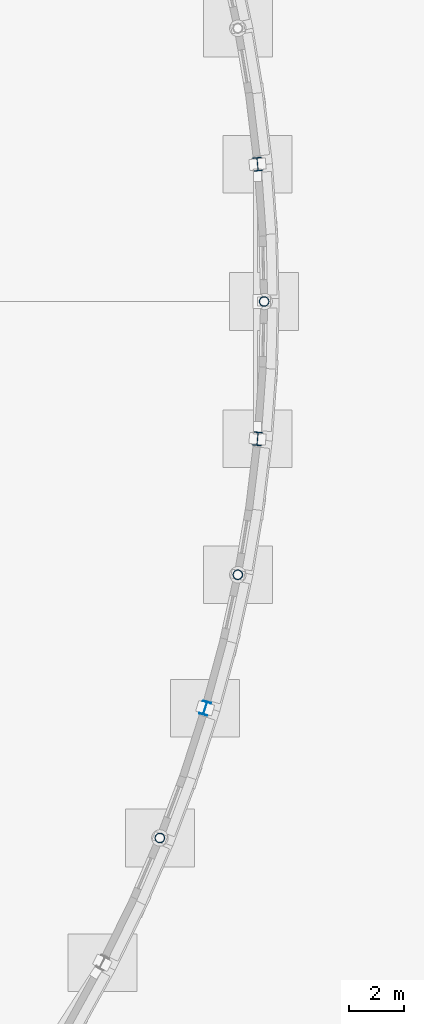
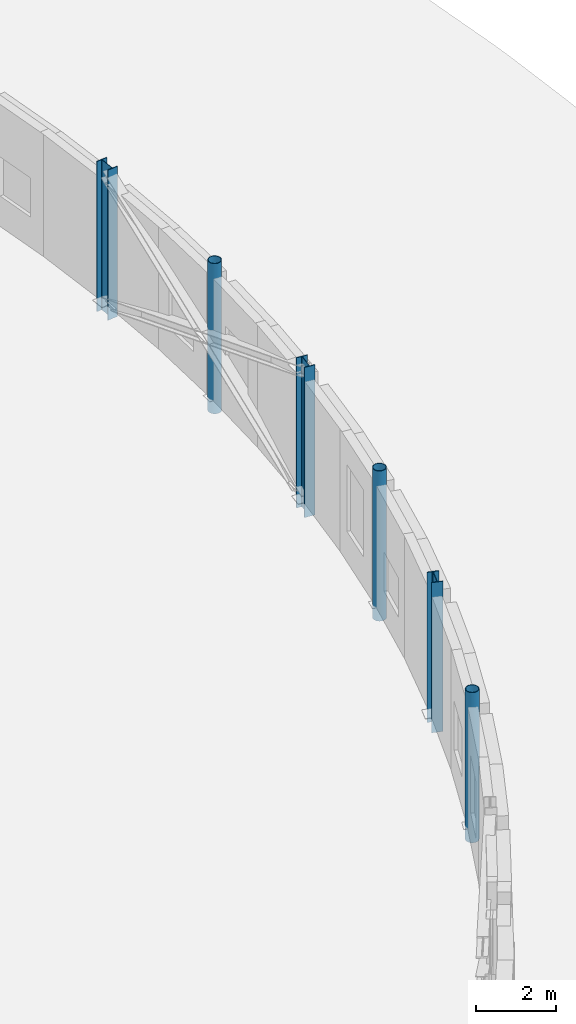
# One storey, part 13 of 88: 6 columns.
"""IFC4 building model written with IfcOpenShell, lengths in metres."""

from ifc_helpers import new_model, si_unit, direction, frame, origin, origin_2d, place, context, subcontext, project, spatial, hollow_circle, i_section, extrude, material, material_profile, profile_set, type_object, element, save


model = new_model("IFC4")

# Units and contexts
model_context = context("Model", 3, precision=1e-05, world=origin(), true_north=direction((0.0, 1.0)))
body_context = subcontext(model_context, "Body", "Model", "MODEL_VIEW")
ifc_project = project(units=[si_unit("LENGTHUNIT", "METRE"), si_unit("AREAUNIT", "SQUARE_METRE"), si_unit("VOLUMEUNIT", "CUBIC_METRE"), si_unit("PLANEANGLEUNIT", "RADIAN"), si_unit("MASSUNIT", "GRAM", prefix="KILO")], contexts=[model_context])

# Site, building, storey
site_placement = place(None, origin())
site = spatial("IfcSite", under=ifc_project, at=site_placement, CompositionType="ELEMENT")
building_placement = place(site_placement, origin())
building = spatial("IfcBuilding", under=site, at=building_placement, Name="Vanh Quang Courtyard School", CompositionType="ELEMENT")
storey_placement = place(building_placement, origin())
storey = spatial("IfcBuildingStorey", under=building, at=storey_placement, Name="L00", CompositionType="ELEMENT", Elevation=0.0)

# Columns
ifc_material = material(Name="Structural steel EN 10025-2 S355J2", Category="steel")
ifc_material_profile_1 = material_profile(ifc_material, hollow_circle(Radius=0.177734375, WallThickness=0.01611328125, at=origin_2d()), Name="CHS 355.6x16")
ifc_profile_set_1 = profile_set([ifc_material_profile_1], Name="Structural steel EN 10025-2 S355J2")
column_type_1 = type_object("IfcColumnType", Name="COL-STL-CHS355", PredefinedType="COLUMN", material=ifc_profile_set_1)
for number, where, z_axis, x_axis, name in (
    (1, (160.213623046875, 36.5205078125, -0.39990234375), (0.0, 0.0, 1.0), (1.0, 0.0, 0.0), "Column CS-05 (L00)"),
    (2, (163.044677734375, 46.077880859375, -0.39990234375), (0.0, 0.0, 1.0), (1.0, 0.0, 0.0), "Column CS-05 (L00)"),
    (3, (164.0, 56.0, -0.39990234375), (0.0, 0.0, 1.0), (1.0, 0.0, 0.0), "Column CS-05 (L00)"),
):
    element("IfcColumn", number, at=place(storey_placement, frame(where, z_axis=z_axis, x_axis=x_axis)), inside=storey, type_object=column_type_1, Name=name, PredefinedType="COLUMN", context=body_context, shape_type="SweptSolid", body=[
        extrude(hollow_circle(Radius=0.177734375, WallThickness=0.01611328125, at=origin_2d()), origin(), (0.0, 0.0, 1.0), 4.599853515625),
    ])
ifc_material_profile_2 = material_profile(ifc_material, i_section(OverallWidth=0.300048828125, OverallDepth=0.489990234375, WebThickness=0.011962890625, FlangeThickness=0.02294921875, FilletRadius=0.027099609375, at=origin_2d()), Name="HEA 500")
ifc_profile_set_2 = profile_set([ifc_material_profile_2], Name="Structural steel EN 10025-2 S355J2")
column_type_2 = type_object("IfcColumnType", Name="COL-STL-HEA500", PredefinedType="COLUMN", material=ifc_profile_set_2)
for number, where, z_axis, x_axis, name in (
    (4, (161.858642578125, 41.231201171875, -0.39990234375), (0.0, 0.0, 1.0), (0.958819734868, -0.284015344704, 0.0), "Column CS-01 (L00)"),
    (5, (163.760498046875, 51.01611328125, -0.39990234375), (0.0, 0.0, 1.0), (0.995396198367, -0.09584575252, 0.0), "Column CS-01 (L00)"),
    (6, (163.760498046875, 60.98388671875, -0.39990234375), (0.0, 0.0, 1.0), (0.995396198367, 0.09584575252, 0.0), "Column CS-01 (L00)"),
):
    element("IfcColumn", number, at=place(storey_placement, frame(where, z_axis=z_axis, x_axis=x_axis)), inside=storey, type_object=column_type_2, Name=name, PredefinedType="COLUMN", context=body_context, shape_type="SweptSolid", body=[
        extrude(i_section(OverallWidth=0.300048828125, OverallDepth=0.489990234375, WebThickness=0.011962890625, FlangeThickness=0.02294921875, FilletRadius=0.027099609375, at=origin_2d()), origin(), (0.0, 0.0, 1.0), 4.599853515625),
    ])

save(model, "model.ifc")
